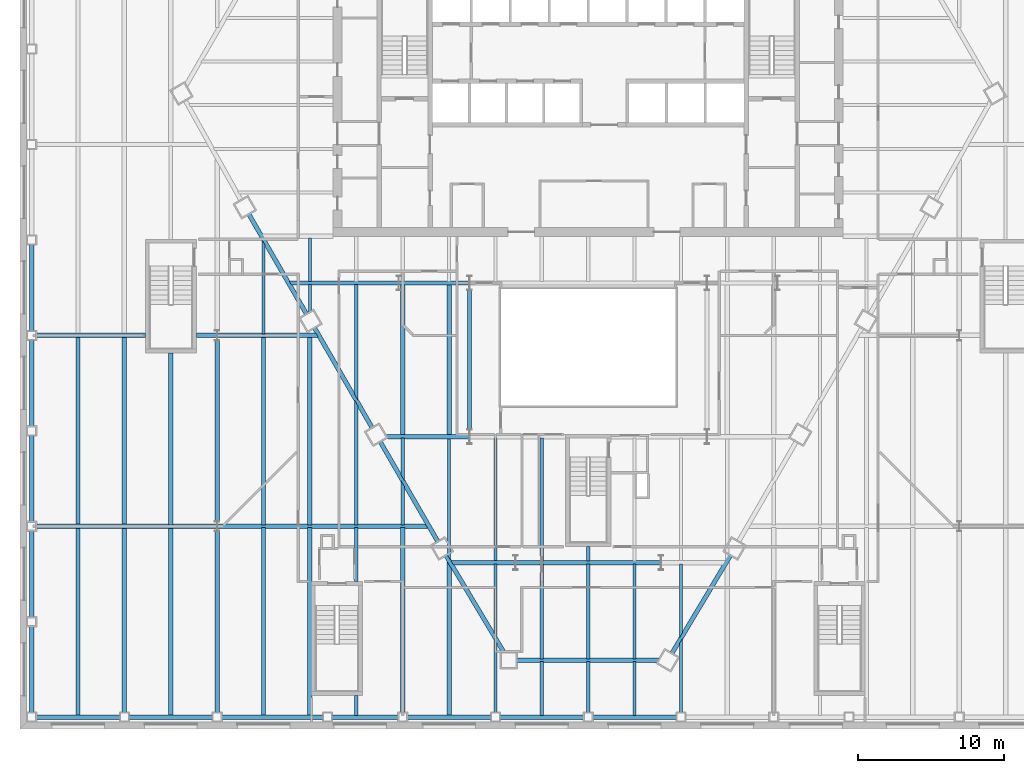
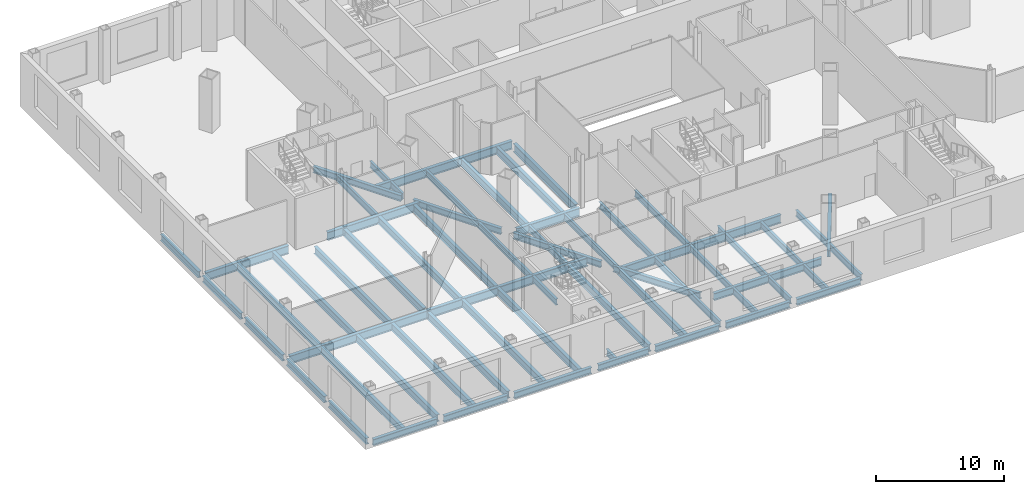
# One storey, part 4 of 21: 68 beams.
"""IFC4 building model written with IfcOpenShell, lengths in metres."""

from ifc_helpers import new_model, si_unit, direction, frame, origin, origin_2d, place, context, subcontext, project, spatial, i_section, extrude, clip, halfspace, material, material_profile, profile_set, type_object, element, save


model = new_model("IFC4")

# Units and contexts
model_context = context("Model", 3, precision=1e-05, world=origin(), true_north=direction((0.0, 1.0)))
body_context = subcontext(model_context, "Body", "Model", "MODEL_VIEW")
ifc_project = project(units=[si_unit("LENGTHUNIT", "METRE"), si_unit("AREAUNIT", "SQUARE_METRE"), si_unit("VOLUMEUNIT", "CUBIC_METRE"), si_unit("PLANEANGLEUNIT", "RADIAN"), si_unit("MASSUNIT", "GRAM", prefix="KILO")], contexts=[model_context])

# Site, building, storey
site_placement = place(None, origin())
site = spatial("IfcSite", under=ifc_project, at=site_placement, CompositionType="ELEMENT")
building_placement = place(site_placement, origin())
building = spatial("IfcBuilding", under=site, at=building_placement, Name="Njiva Tower", CompositionType="ELEMENT")
storey_placement = place(building_placement, frame((0.0, 0.0, 8.4)))
storey = spatial("IfcBuildingStorey", under=building, at=storey_placement, Name="L01", CompositionType="ELEMENT", Elevation=8.4)

# Beams
ifc_material = material(Name="Steel S355 J2", Category="steel")
ifc_material_profile_1 = material_profile(ifc_material, i_section(OverallWidth=0.3, OverallDepth=0.69, WebThickness=0.0145, FlangeThickness=0.027, at=origin_2d()), Name="HEA 700")
ifc_profile_set_1 = profile_set([ifc_material_profile_1], Name="Steel S355 J2")
beam_type_1 = type_object("IfcBeamType", Name="B1 Long-span spandrel beam HEA 700", PredefinedType="SPANDREL", material=ifc_profile_set_1)
beam_1_placement = place(storey_placement, frame((-4.911, -29.096, -0.565), z_axis=(1.0, 0.0, 0.0), x_axis=(0.0, 1.0, 0.0)))
element("IfcBeam", 1, at=beam_1_placement, inside=storey, type_object=beam_type_1, Name="Long-span spandrel beam L01-B160", PredefinedType="SPANDREL", context=body_context, shape_type="Clipping", body=[
    clip(extrude(i_section(OverallWidth=0.3, OverallDepth=0.69, WebThickness=0.0145, FlangeThickness=0.027, at=origin_2d()), origin(), (0.0, 0.0, 1.0), 9.844), halfspace(frame((-0.0254, 0.0, 9.7223), z_axis=(-0.499998009787, 0.0, 0.866026552831), x_axis=(0.0, 1.0, 0.0)), False)),
])
ifc_material_profile_2 = material_profile(ifc_material, i_section(OverallWidth=0.3, OverallDepth=0.69, WebThickness=0.0145, FlangeThickness=0.027, at=origin_2d()), Name="HEA 700")
ifc_profile_set_2 = profile_set([ifc_material_profile_2], Name="Steel S355 J2")
beam_type_2 = type_object("IfcBeamType", Name="B12 Long-span floor joist HEA 700", PredefinedType="JOIST", material=ifc_profile_set_2)
for number, where, z_axis, x_axis, name in (
    (2, (-35.017, -6.9, -0.565), (0.0, -1.0, 0.0), (1.0, 0.0, 0.0), "Long-span floor joist L01-B037"),
    (3, (-35.017, -20.0, -0.565), (0.0, -1.0, 0.0), (1.0, 0.0, 0.0), "Long-span floor joist L01-B036"),
    (4, (-31.833, -6.9, -0.565), (0.0, -1.0, 0.0), (1.0, 0.0, 0.0), "Long-span floor joist L01-B041"),
):
    element("IfcBeam", number, at=place(storey_placement, frame(where, z_axis=z_axis, x_axis=x_axis)), inside=storey, type_object=beam_type_2, Name=name, PredefinedType="JOIST", context=body_context, shape_type="SweptSolid", body=[
        extrude(i_section(OverallWidth=0.3, OverallDepth=0.69, WebThickness=0.0145, FlangeThickness=0.027, at=origin_2d()), origin(), (0.0, 0.0, 1.0), 12.9),
    ])
beam_2_placement = place(storey_placement, frame((-31.833, -20.0, -0.565), z_axis=(0.0, -1.0, 0.0), x_axis=(1.0, 0.0, 0.0)))
element("IfcBeam", 5, at=beam_2_placement, inside=storey, type_object=beam_type_2, Name="Long-span floor joist L01-B040", PredefinedType="JOIST", context=body_context, shape_type="SweptSolid", body=[
    extrude(i_section(OverallWidth=0.3, OverallDepth=0.69, WebThickness=0.0145, FlangeThickness=0.027, at=origin_2d()), origin(), (0.0, 0.0, 1.0), 12.7),
])
beam_3_placement = place(storey_placement, frame((-28.65, -8.0, -0.565), z_axis=(0.0, -1.0, 0.0), x_axis=(1.0, 0.0, 0.0)))
element("IfcBeam", 6, at=beam_3_placement, inside=storey, type_object=beam_type_2, Name="Long-span floor joist L01-B045", PredefinedType="JOIST", context=body_context, shape_type="SweptSolid", body=[
    extrude(i_section(OverallWidth=0.3, OverallDepth=0.69, WebThickness=0.0145, FlangeThickness=0.027, at=origin_2d()), origin(), (0.0, 0.0, 1.0), 11.8),
])
beam_4_placement = place(storey_placement, frame((-28.65, -20.0, -0.565), z_axis=(0.0, -1.0, 0.0), x_axis=(1.0, 0.0, 0.0)))
element("IfcBeam", 7, at=beam_4_placement, inside=storey, type_object=beam_type_2, Name="Long-span floor joist L01-B044", PredefinedType="JOIST", context=body_context, shape_type="SweptSolid", body=[
    extrude(i_section(OverallWidth=0.3, OverallDepth=0.69, WebThickness=0.0145, FlangeThickness=0.027, at=origin_2d()), origin(), (0.0, 0.0, 1.0), 12.9),
])
beam_5_placement = place(storey_placement, frame((-25.467, -7.108, -0.565), z_axis=(0.0, -1.0, 0.0), x_axis=(1.0, 0.0, 0.0)))
element("IfcBeam", 8, at=beam_5_placement, inside=storey, type_object=beam_type_2, Name="Long-span floor joist L01-B049", PredefinedType="JOIST", context=body_context, shape_type="SweptSolid", body=[
    extrude(i_section(OverallWidth=0.3, OverallDepth=0.69, WebThickness=0.0145, FlangeThickness=0.027, at=origin_2d()), origin(), (0.0, 0.0, 1.0), 12.484),
])
beam_6_placement = place(storey_placement, frame((-25.467, -20.208, -0.565), z_axis=(0.0, -1.0, 0.0), x_axis=(1.0, 0.0, 0.0)))
element("IfcBeam", 9, at=beam_6_placement, inside=storey, type_object=beam_type_2, Name="Long-span floor joist L01-B048", PredefinedType="JOIST", context=body_context, shape_type="SweptSolid", body=[
    extrude(i_section(OverallWidth=0.3, OverallDepth=0.69, WebThickness=0.0145, FlangeThickness=0.027, at=origin_2d()), origin(), (0.0, 0.0, 1.0), 12.492),
])
for number, where, z_axis, x_axis, name in (
    (10, (-22.283, -6.9, -0.565), (0.0, -1.0, 0.0), (1.0, 0.0, 0.0), "Long-span floor joist L01-B053"),
    (11, (-22.283, -20.001, -0.565), (0.0, -1.0, 0.0), (1.0, 0.0, 0.0), "Long-span floor joist L01-B052"),
    (12, (-19.1, -6.9, -0.565), (0.0, -1.0, 0.0), (1.0, 0.0, 0.0), "Long-span floor joist L01-B056"),
    (13, (-19.1, -20.001, -0.565), (0.0, -1.0, 0.0), (1.0, 0.0, 0.0), "Long-span floor joist L01-B055"),
):
    element("IfcBeam", number, at=place(storey_placement, frame(where, z_axis=z_axis, x_axis=x_axis)), inside=storey, type_object=beam_type_2, Name=name, PredefinedType="JOIST", context=body_context, shape_type="SweptSolid", body=[
        extrude(i_section(OverallWidth=0.3, OverallDepth=0.69, WebThickness=0.0145, FlangeThickness=0.027, at=origin_2d()), origin(), (0.0, 0.0, 1.0), 12.899),
    ])
beam_7_placement = place(storey_placement, frame((-12.733, -3.3, -0.565), z_axis=(0.0, -1.0, 0.0), x_axis=(1.0, 0.0, 0.0)))
element("IfcBeam", 14, at=beam_7_placement, inside=storey, type_object=beam_type_2, Name="Long-span floor joist L01-B067", PredefinedType="JOIST", context=body_context, shape_type="SweptSolid", body=[
    extrude(i_section(OverallWidth=0.3, OverallDepth=0.69, WebThickness=0.0145, FlangeThickness=0.027, at=origin_2d()), origin(), (0.0, 0.0, 1.0), 10.35),
])
beam_8_placement = place(storey_placement, frame((-12.733, -20.001, -0.565), z_axis=(0.0, -1.0, 0.0), x_axis=(1.0, 0.0, 0.0)))
element("IfcBeam", 15, at=beam_8_placement, inside=storey, type_object=beam_type_2, Name="Long-span floor joist L01-B064", PredefinedType="JOIST", context=body_context, shape_type="SweptSolid", body=[
    extrude(i_section(OverallWidth=0.3, OverallDepth=0.69, WebThickness=0.0145, FlangeThickness=0.027, at=origin_2d()), origin(), (0.0, 0.0, 1.0), 12.699),
])
beam_9_placement = place(storey_placement, frame((-9.55, -3.3, -0.565), z_axis=(0.0, -1.0, 0.0), x_axis=(1.0, 0.0, 0.0)))
element("IfcBeam", 16, at=beam_9_placement, inside=storey, type_object=beam_type_2, Name="Long-span floor joist L01-B071", PredefinedType="JOIST", context=body_context, shape_type="SweptSolid", body=[
    extrude(i_section(OverallWidth=0.3, OverallDepth=0.69, WebThickness=0.0145, FlangeThickness=0.027, at=origin_2d()), origin(), (0.0, 0.0, 1.0), 10.35),
])
beam_10_placement = place(storey_placement, frame((-9.55, -22.243, -0.565), z_axis=(0.0, -1.0, 0.0), x_axis=(1.0, 0.0, 0.0)))
element("IfcBeam", 17, at=beam_10_placement, inside=storey, type_object=beam_type_2, Name="Long-span floor joist L01-B069", PredefinedType="JOIST", context=body_context, shape_type="Clipping", body=[
    clip(extrude(i_section(OverallWidth=0.3, OverallDepth=0.69, WebThickness=0.0145, FlangeThickness=0.027, at=origin_2d()), origin(), (0.0, 0.0, 1.0), 10.657), halfspace(frame((0.0429, 0.0, 0.2758), z_axis=(0.858483100847, 0.0, -0.512841852388), x_axis=(0.0, -1.0, 0.0)), False)),
])
ifc_material_profile_3 = material_profile(ifc_material, i_section(OverallWidth=0.22, OverallDepth=0.6, WebThickness=0.012, FlangeThickness=0.019, at=origin_2d()), Name="IPE 600")
ifc_profile_set_3 = profile_set([ifc_material_profile_3], Name="Steel S355 J2")
beam_type_3 = type_object("IfcBeamType", Name="B13 Floor joist IPE 600", PredefinedType="JOIST", material=ifc_profile_set_3)
beam_11_placement = place(storey_placement, frame((-22.283, -0.215, -0.52), z_axis=(0.0, -1.0, 0.0), x_axis=(1.0, 0.0, 0.0)))
element("IfcBeam", 18, at=beam_11_placement, inside=storey, type_object=beam_type_3, Name="Floor joist L01-B054", PredefinedType="JOIST", context=body_context, shape_type="Clipping", body=[
    clip(extrude(i_section(OverallWidth=0.22, OverallDepth=0.6, WebThickness=0.012, FlangeThickness=0.019, at=origin_2d()), origin(), (0.0, 0.0, 1.0), 6.485), halfspace(frame((0.043, 0.0, 0.2859), z_axis=(0.866026552831, 0.0, -0.499998009787), x_axis=(0.0, -1.0, 0.0)), False)),
])
beam_12_placement = place(storey_placement, frame((-15.917, -3.3, -0.52), z_axis=(0.0, -1.0, 0.0), x_axis=(1.0, 0.0, 0.0)))
element("IfcBeam", 19, at=beam_12_placement, inside=storey, type_object=beam_type_3, Name="Floor joist L01-B062", PredefinedType="JOIST", context=body_context, shape_type="Clipping", body=[
    clip(extrude(i_section(OverallWidth=0.22, OverallDepth=0.6, WebThickness=0.012, FlangeThickness=0.019, at=origin_2d()), origin(), (0.0, 0.0, 1.0), 7.964), halfspace(frame((-0.043, 0.0, 7.6783), z_axis=(-0.866026552831, 0.0, 0.499998009787), x_axis=(0.0, 1.0, 0.0)), False)),
])
beam_13_placement = place(storey_placement, frame((-15.917, -11.242, -0.52), z_axis=(0.0, -1.0, 0.0), x_axis=(1.0, 0.0, 0.0)))
element("IfcBeam", 20, at=beam_13_placement, inside=storey, type_object=beam_type_3, Name="Floor joist L01-B061", PredefinedType="JOIST", context=body_context, shape_type="Clipping", body=[
    clip(extrude(i_section(OverallWidth=0.22, OverallDepth=0.6, WebThickness=0.012, FlangeThickness=0.019, at=origin_2d()), origin(), (0.0, 0.0, 1.0), 8.557), halfspace(frame((0.0436, 0.0, 0.2863), z_axis=(0.866026552831, 0.0, -0.499998009787), x_axis=(0.0, -1.0, 0.0)), False)),
])
beam_14_placement = place(storey_placement, frame((-9.55, -13.85, -0.52), z_axis=(0.0, -1.0, 0.0), x_axis=(1.0, 0.0, 0.0)))
element("IfcBeam", 21, at=beam_14_placement, inside=storey, type_object=beam_type_3, Name="Floor joist L01-B070", PredefinedType="JOIST", context=body_context, shape_type="Clipping", body=[
    clip(extrude(i_section(OverallWidth=0.22, OverallDepth=0.6, WebThickness=0.012, FlangeThickness=0.019, at=origin_2d()), origin(), (0.0, 0.0, 1.0), 8.411), halfspace(frame((-0.0429, 0.0, 8.1351), z_axis=(-0.858483100847, 0.0, 0.512841852388), x_axis=(0.0, 1.0, 0.0)), False)),
])
beam_15_placement = place(storey_placement, frame((-6.367, -13.851, -0.52), z_axis=(0.0, -1.0, 0.0), x_axis=(1.0, 0.0, 0.0)))
element("IfcBeam", 22, at=beam_15_placement, inside=storey, type_object=beam_type_3, Name="Floor joist L01-B075", PredefinedType="JOIST", context=body_context, shape_type="SweptSolid", body=[
    extrude(i_section(OverallWidth=0.22, OverallDepth=0.6, WebThickness=0.012, FlangeThickness=0.019, at=origin_2d()), origin(), (0.0, 0.0, 1.0), 8.449),
])
beam_16_placement = place(storey_placement, frame((-6.367, -22.5, -0.52), z_axis=(0.0, -1.0, 0.0), x_axis=(1.0, 0.0, 0.0)))
element("IfcBeam", 23, at=beam_16_placement, inside=storey, type_object=beam_type_3, Name="Floor joist L01-B074", PredefinedType="JOIST", context=body_context, shape_type="Clipping", body=[
    clip(extrude(i_section(OverallWidth=0.22, OverallDepth=0.6, WebThickness=0.012, FlangeThickness=0.019, at=origin_2d()), origin(), (0.0, 0.0, 1.0), 5.09), halfspace(frame((-0.0426, 0.0, 4.8139), z_axis=(-0.858483100847, 0.0, 0.512841852388), x_axis=(0.0, 1.0, 0.0)), False)),
])
beam_17_placement = place(storey_placement, frame((-6.367, -27.572, -0.52), z_axis=(0.0, -1.0, 0.0), x_axis=(1.0, 0.0, 0.0)))
element("IfcBeam", 24, at=beam_17_placement, inside=storey, type_object=beam_type_3, Name="Floor joist L01-B073", PredefinedType="JOIST", context=body_context, shape_type="Clipping", body=[
    clip(extrude(i_section(OverallWidth=0.22, OverallDepth=0.6, WebThickness=0.012, FlangeThickness=0.019, at=origin_2d()), origin(), (0.0, 0.0, 1.0), 5.128), halfspace(frame((0.0433, 0.0, 0.2756), z_axis=(0.858483100847, 0.0, -0.512841852388), x_axis=(0.0, -1.0, 0.0)), False)),
])
beam_18_placement = place(storey_placement, frame((-3.183, -13.851, -0.52), z_axis=(0.0, -1.0, 0.0), x_axis=(1.0, 0.0, 0.0)))
element("IfcBeam", 25, at=beam_18_placement, inside=storey, type_object=beam_type_3, Name="Floor joist L01-B079", PredefinedType="JOIST", context=body_context, shape_type="SweptSolid", body=[
    extrude(i_section(OverallWidth=0.22, OverallDepth=0.6, WebThickness=0.012, FlangeThickness=0.019, at=origin_2d()), origin(), (0.0, 0.0, 1.0), 8.449),
])
for number, where, z_axis, x_axis, name in (
    (26, (-3.183, -22.5, -0.52), (0.0, -1.0, 0.0), (1.0, 0.0, 0.0), "Floor joist L01-B078"),
    (27, (0.0, -22.5, -0.52), (0.0, -1.0, 0.0), (1.0, 0.0, 0.0), "Floor joist L01-B082"),
    (28, (3.183, -22.5, -0.52), (0.0, -1.0, 0.0), (1.0, 0.0, 0.0), "Floor joist L01-B086"),
):
    element("IfcBeam", number, at=place(storey_placement, frame(where, z_axis=z_axis, x_axis=x_axis)), inside=storey, type_object=beam_type_3, Name=name, PredefinedType="JOIST", context=body_context, shape_type="SweptSolid", body=[
        extrude(i_section(OverallWidth=0.22, OverallDepth=0.6, WebThickness=0.012, FlangeThickness=0.019, at=origin_2d()), origin(), (0.0, 0.0, 1.0), 6.496),
    ])
beam_19_placement = place(storey_placement, frame((6.367, -22.5, -0.52), z_axis=(0.0, -1.0, 0.0), x_axis=(1.0, 0.0, 0.0)))
element("IfcBeam", 29, at=beam_19_placement, inside=storey, type_object=beam_type_3, Name="Floor joist L01-B090", PredefinedType="JOIST", context=body_context, shape_type="Clipping", body=[
    clip(extrude(i_section(OverallWidth=0.22, OverallDepth=0.6, WebThickness=0.012, FlangeThickness=0.019, at=origin_2d()), origin(), (0.0, 0.0, 1.0), 5.09), halfspace(frame((0.0426, 0.0, 4.8139), z_axis=(0.858483100847, 0.0, 0.512841852388), x_axis=(0.0, 1.0, 0.0)), False)),
])
beam_20_placement = place(storey_placement, frame((6.367, -27.572, -0.52), z_axis=(0.0, -1.0, 0.0), x_axis=(1.0, 0.0, 0.0)))
element("IfcBeam", 30, at=beam_20_placement, inside=storey, type_object=beam_type_3, Name="Floor joist L01-B089", PredefinedType="JOIST", context=body_context, shape_type="Clipping", body=[
    clip(extrude(i_section(OverallWidth=0.22, OverallDepth=0.6, WebThickness=0.012, FlangeThickness=0.019, at=origin_2d()), origin(), (0.0, 0.0, 1.0), 5.128), halfspace(frame((-0.0433, 0.0, 0.2756), z_axis=(-0.858483100847, 0.0, -0.512841852388), x_axis=(0.0, -1.0, 0.0)), False)),
])
ifc_material_profile_4 = material_profile(ifc_material, i_section(OverallWidth=0.22, OverallDepth=0.6, WebThickness=0.012, FlangeThickness=0.019, at=origin_2d()), Name="IPE 600")
ifc_profile_set_4 = profile_set([ifc_material_profile_4], Name="Steel S355 J2")
beam_type_4 = type_object("IfcBeamType", Name="B14 Short-span floor joist IPE 600", PredefinedType="JOIST", material=ifc_profile_set_4)
beam_21_placement = place(storey_placement, frame((-19.1, -0.1, -0.52), z_axis=(0.0, -1.0, 0.0), x_axis=(1.0, 0.0, 0.0)))
element("IfcBeam", 31, at=beam_21_placement, inside=storey, type_object=beam_type_4, Name="Short-span floor joist L01-B058", PredefinedType="JOIST", context=body_context, shape_type="SweptSolid", body=[
    extrude(i_section(OverallWidth=0.22, OverallDepth=0.6, WebThickness=0.012, FlangeThickness=0.019, at=origin_2d()), origin(), (0.0, 0.0, 1.0), 3.0),
])
beam_22_placement = place(storey_placement, frame((-19.1, -3.3, -0.52), z_axis=(0.0, -1.0, 0.0), x_axis=(1.0, 0.0, 0.0)))
element("IfcBeam", 32, at=beam_22_placement, inside=storey, type_object=beam_type_4, Name="Short-span floor joist L01-B057", PredefinedType="JOIST", context=body_context, shape_type="Clipping", body=[
    clip(extrude(i_section(OverallWidth=0.22, OverallDepth=0.6, WebThickness=0.012, FlangeThickness=0.019, at=origin_2d()), origin(), (0.0, 0.0, 1.0), 1.978), halfspace(frame((0.025, 0.0, 1.88), z_axis=(0.499998009787, 0.0, 0.866026552831), x_axis=(0.0, 1.0, 0.0)), False)),
])
beam_23_placement = place(storey_placement, frame((-15.917, -20.001, -0.52), z_axis=(0.0, -1.0, 0.0), x_axis=(1.0, 0.0, 0.0)))
element("IfcBeam", 33, at=beam_23_placement, inside=storey, type_object=beam_type_4, Name="Short-span floor joist L01-B060", PredefinedType="JOIST", context=body_context, shape_type="SweptSolid", body=[
    extrude(i_section(OverallWidth=0.22, OverallDepth=0.6, WebThickness=0.012, FlangeThickness=0.019, at=origin_2d()), origin(), (0.0, 0.0, 1.0), 3.699),
])
beam_24_placement = place(storey_placement, frame((-15.917, -31.5, -0.52), z_axis=(0.0, -1.0, 0.0), x_axis=(1.0, 0.0, 0.0)))
element("IfcBeam", 34, at=beam_24_placement, inside=storey, type_object=beam_type_4, Name="Short-span floor joist L01-B059", PredefinedType="JOIST", context=body_context, shape_type="SweptSolid", body=[
    extrude(i_section(OverallWidth=0.22, OverallDepth=0.6, WebThickness=0.012, FlangeThickness=0.019, at=origin_2d()), origin(), (0.0, 0.0, 1.0), 1.4),
])
beam_25_placement = place(storey_placement, frame((-12.733, -13.85, -0.52), z_axis=(0.0, -1.0, 0.0), x_axis=(1.0, 0.0, 0.0)))
element("IfcBeam", 35, at=beam_25_placement, inside=storey, type_object=beam_type_4, Name="Short-span floor joist L01-B066", PredefinedType="JOIST", context=body_context, shape_type="Clipping", body=[
    clip(extrude(i_section(OverallWidth=0.22, OverallDepth=0.6, WebThickness=0.012, FlangeThickness=0.019, at=origin_2d()), origin(), (0.0, 0.0, 1.0), 2.928), halfspace(frame((-0.0436, 0.0, 2.642), z_axis=(-0.866026552831, 0.0, 0.499998009787), x_axis=(0.0, 1.0, 0.0)), False)),
])
beam_26_placement = place(storey_placement, frame((-12.733, -16.756, -0.52), z_axis=(0.0, -1.0, 0.0), x_axis=(1.0, 0.0, 0.0)))
element("IfcBeam", 36, at=beam_26_placement, inside=storey, type_object=beam_type_4, Name="Short-span floor joist L01-B065", PredefinedType="JOIST", context=body_context, shape_type="Clipping", body=[
    clip(extrude(i_section(OverallWidth=0.22, OverallDepth=0.6, WebThickness=0.012, FlangeThickness=0.019, at=origin_2d()), origin(), (0.0, 0.0, 1.0), 3.043), halfspace(frame((0.043, 0.0, 0.286), z_axis=(0.866026552831, 0.0, -0.499998009787), x_axis=(0.0, -1.0, 0.0)), False)),
])
beam_27_placement = place(storey_placement, frame((-3.183, -29.196, -0.52), z_axis=(0.0, -1.0, 0.0), x_axis=(1.0, 0.0, 0.0)))
element("IfcBeam", 37, at=beam_27_placement, inside=storey, type_object=beam_type_4, Name="Short-span floor joist L01-B077", PredefinedType="JOIST", context=body_context, shape_type="SweptSolid", body=[
    extrude(i_section(OverallWidth=0.22, OverallDepth=0.6, WebThickness=0.012, FlangeThickness=0.019, at=origin_2d()), origin(), (0.0, 0.0, 1.0), 3.704),
])
beam_28_placement = place(storey_placement, frame((0.0, -21.3, -0.52), z_axis=(0.0, -1.0, 0.0), x_axis=(1.0, 0.0, 0.0)))
element("IfcBeam", 38, at=beam_28_placement, inside=storey, type_object=beam_type_4, Name="Short-span floor joist L01-B083", PredefinedType="JOIST", context=body_context, shape_type="SweptSolid", body=[
    extrude(i_section(OverallWidth=0.22, OverallDepth=0.6, WebThickness=0.012, FlangeThickness=0.019, at=origin_2d()), origin(), (0.0, 0.0, 1.0), 1.0),
])
beam_29_placement = place(storey_placement, frame((0.0, -29.196, -0.52), z_axis=(0.0, -1.0, 0.0), x_axis=(1.0, 0.0, 0.0)))
element("IfcBeam", 39, at=beam_29_placement, inside=storey, type_object=beam_type_4, Name="Short-span floor joist L01-B081", PredefinedType="JOIST", context=body_context, shape_type="SweptSolid", body=[
    extrude(i_section(OverallWidth=0.22, OverallDepth=0.6, WebThickness=0.012, FlangeThickness=0.019, at=origin_2d()), origin(), (0.0, 0.0, 1.0), 3.504),
])
beam_30_placement = place(storey_placement, frame((3.183, -29.196, -0.52), z_axis=(0.0, -1.0, 0.0), x_axis=(1.0, 0.0, 0.0)))
element("IfcBeam", 40, at=beam_30_placement, inside=storey, type_object=beam_type_4, Name="Short-span floor joist L01-B085", PredefinedType="JOIST", context=body_context, shape_type="SweptSolid", body=[
    extrude(i_section(OverallWidth=0.22, OverallDepth=0.6, WebThickness=0.012, FlangeThickness=0.019, at=origin_2d()), origin(), (0.0, 0.0, 1.0), 3.704),
])
ifc_material_profile_5 = material_profile(ifc_material, i_section(OverallWidth=0.3, OverallDepth=0.6, WebThickness=0.0155, FlangeThickness=0.03, at=origin_2d()), Name="HEB 600")
ifc_profile_set_5 = profile_set([ifc_material_profile_5], Name="Steel S355 J2")
beam_type_5 = type_object("IfcBeamType", Name="B2 Spandrel beam HEB 600", PredefinedType="SPANDREL", material=ifc_profile_set_5)
beam_31_placement = place(storey_placement, frame((-23.294, 1.524, -0.52), z_axis=(0.500025004646, -0.866010966864, 0.0), x_axis=(0.866010966864, 0.500025004646, 0.0)))
element("IfcBeam", 41, at=beam_31_placement, inside=storey, type_object=beam_type_5, Name="Spandrel beam L01-B150", PredefinedType="SPANDREL", context=body_context, shape_type="SweptSolid", body=[
    extrude(i_section(OverallWidth=0.3, OverallDepth=0.6, WebThickness=0.0155, FlangeThickness=0.03, at=origin_2d()), origin(), (0.0, 0.0, 1.0), 7.9156),
])
beam_32_placement = place(storey_placement, frame((-18.786, -6.283, -0.52), z_axis=(0.499970304126, -0.866042548026, 0.0), x_axis=(0.866042548026, 0.499970304126, 0.0)))
element("IfcBeam", 42, at=beam_32_placement, inside=storey, type_object=beam_type_5, Name="Spandrel beam L01-B152", PredefinedType="SPANDREL", context=body_context, shape_type="SweptSolid", body=[
    extrude(i_section(OverallWidth=0.3, OverallDepth=0.6, WebThickness=0.0155, FlangeThickness=0.03, at=origin_2d()), origin(), (0.0, 0.0, 1.0), 7.9165),
])
beam_33_placement = place(storey_placement, frame((-14.278, -14.091, -0.52), z_axis=(0.499930249268, -0.866065670643, 0.0), x_axis=(0.866065670643, 0.499930249268, 0.0)))
element("IfcBeam", 43, at=beam_33_placement, inside=storey, type_object=beam_type_5, Name="Spandrel beam L01-B154", PredefinedType="SPANDREL", context=body_context, shape_type="SweptSolid", body=[
    extrude(i_section(OverallWidth=0.3, OverallDepth=0.6, WebThickness=0.0155, FlangeThickness=0.03, at=origin_2d()), origin(), (0.0, 0.0, 1.0), 7.9151),
])
beam_34_placement = place(storey_placement, frame((-9.763, -21.896, -0.52), z_axis=(0.512881198595, -0.85845959493, 0.0), x_axis=(0.85845959493, 0.512881198595, 0.0)))
element("IfcBeam", 44, at=beam_34_placement, inside=storey, type_object=beam_type_5, Name="Spandrel beam L01-B157", PredefinedType="SPANDREL", context=body_context, shape_type="Clipping", body=[
    clip(extrude(i_section(OverallWidth=0.3, OverallDepth=0.6, WebThickness=0.0155, FlangeThickness=0.03, at=origin_2d()), origin(), (0.0, 0.0, 1.0), 7.8564), halfspace(frame((-0.0257, 0.0, 7.7311), z_axis=(-0.512881198595, 0.0, 0.85845959493), x_axis=(0.0, 1.0, 0.0)), False)),
])
beam_35_placement = place(storey_placement, frame((5.744, -28.623, -0.52), z_axis=(0.512880901609, 0.858459772362, 0.0), x_axis=(-0.858459772362, 0.512880901609, 0.0)))
element("IfcBeam", 45, at=beam_35_placement, inside=storey, type_object=beam_type_5, Name="Spandrel beam L01-B164", PredefinedType="SPANDREL", context=body_context, shape_type="SweptSolid", body=[
    extrude(i_section(OverallWidth=0.3, OverallDepth=0.6, WebThickness=0.0155, FlangeThickness=0.03, at=origin_2d()), origin(), (0.0, 0.0, 1.0), 7.8361),
])
for number, where, z_axis, x_axis, name in (
    (46, (-38.2, -0.55, -0.52), (0.0, -1.0, 0.0), (1.0, 0.0, 0.0), "Spandrel beam L01-B138"),
    (47, (-38.2, -7.1, -0.52), (0.0, -1.0, 0.0), (1.0, 0.0, 0.0), "Spandrel beam L01-B137"),
    (48, (-38.2, -13.65, -0.52), (0.0, -1.0, 0.0), (1.0, 0.0, 0.0), "Spandrel beam L01-B136"),
    (49, (-38.2, -20.2, -0.52), (0.0, -1.0, 0.0), (1.0, 0.0, 0.0), "Spandrel beam L01-B135"),
    (50, (-38.2, -26.75, -0.52), (0.0, -1.0, 0.0), (1.0, 0.0, 0.0), "Spandrel beam L01-B134"),
):
    element("IfcBeam", number, at=place(storey_placement, frame(where, z_axis=z_axis, x_axis=x_axis)), inside=storey, type_object=beam_type_5, Name=name, PredefinedType="SPANDREL", context=body_context, shape_type="SweptSolid", body=[
        extrude(i_section(OverallWidth=0.3, OverallDepth=0.6, WebThickness=0.0155, FlangeThickness=0.03, at=origin_2d()), origin(), (0.0, 0.0, 1.0), 5.95),
    ])
beam_36_placement = place(storey_placement, frame((-37.9, -33.0, -0.52), z_axis=(1.0, 0.0, 0.0), x_axis=(0.0, 1.0, 0.0)))
element("IfcBeam", 51, at=beam_36_placement, inside=storey, type_object=beam_type_5, Name="Spandrel beam L01-B142", PredefinedType="SPANDREL", context=body_context, shape_type="SweptSolid", body=[
    extrude(i_section(OverallWidth=0.3, OverallDepth=0.6, WebThickness=0.0155, FlangeThickness=0.03, at=origin_2d()), origin(), (0.0, 0.0, 1.0), 5.767),
])
beam_37_placement = place(storey_placement, frame((-31.533, -33.0, -0.52), z_axis=(1.0, 0.0, 0.0), x_axis=(0.0, 1.0, 0.0)))
element("IfcBeam", 52, at=beam_37_placement, inside=storey, type_object=beam_type_5, Name="Spandrel beam L01-B144", PredefinedType="SPANDREL", context=body_context, shape_type="SweptSolid", body=[
    extrude(i_section(OverallWidth=0.3, OverallDepth=0.6, WebThickness=0.0155, FlangeThickness=0.03, at=origin_2d()), origin(), (0.0, 0.0, 1.0), 5.766),
])
beam_38_placement = place(storey_placement, frame((-25.167, -33.0, -0.52), z_axis=(1.0, 0.0, 0.0), x_axis=(0.0, 1.0, 0.0)))
element("IfcBeam", 53, at=beam_38_placement, inside=storey, type_object=beam_type_5, Name="Spandrel beam L01-B148", PredefinedType="SPANDREL", context=body_context, shape_type="SweptSolid", body=[
    extrude(i_section(OverallWidth=0.3, OverallDepth=0.6, WebThickness=0.0155, FlangeThickness=0.03, at=origin_2d()), origin(), (0.0, 0.0, 1.0), 6.967),
])
beam_39_placement = place(storey_placement, frame((-17.6, -33.0, -0.52), z_axis=(1.0, 0.0, 0.0), x_axis=(0.0, 1.0, 0.0)))
element("IfcBeam", 54, at=beam_39_placement, inside=storey, type_object=beam_type_5, Name="Spandrel beam L01-B153", PredefinedType="SPANDREL", context=body_context, shape_type="SweptSolid", body=[
    extrude(i_section(OverallWidth=0.3, OverallDepth=0.6, WebThickness=0.0155, FlangeThickness=0.03, at=origin_2d()), origin(), (0.0, 0.0, 1.0), 4.567),
])
beam_40_placement = place(storey_placement, frame((-12.433, -33.0, -0.52), z_axis=(1.0, 0.0, 0.0), x_axis=(0.0, 1.0, 0.0)))
element("IfcBeam", 55, at=beam_40_placement, inside=storey, type_object=beam_type_5, Name="Spandrel beam L01-B156", PredefinedType="SPANDREL", context=body_context, shape_type="SweptSolid", body=[
    extrude(i_section(OverallWidth=0.3, OverallDepth=0.6, WebThickness=0.0155, FlangeThickness=0.03, at=origin_2d()), origin(), (0.0, 0.0, 1.0), 5.766),
])
for number, where, z_axis, x_axis, name in (
    (56, (-6.067, -33.0, -0.52), (1.0, 0.0, 0.0), (0.0, 1.0, 0.0), "Spandrel beam L01-B158"),
    (57, (0.3, -33.0, -0.52), (1.0, 0.0, 0.0), (0.0, 1.0, 0.0), "Spandrel beam L01-B162"),
):
    element("IfcBeam", number, at=place(storey_placement, frame(where, z_axis=z_axis, x_axis=x_axis)), inside=storey, type_object=beam_type_5, Name=name, PredefinedType="SPANDREL", context=body_context, shape_type="SweptSolid", body=[
        extrude(i_section(OverallWidth=0.3, OverallDepth=0.6, WebThickness=0.0155, FlangeThickness=0.03, at=origin_2d()), origin(), (0.0, 0.0, 1.0), 5.767),
    ])
ifc_material_profile_6 = material_profile(ifc_material, i_section(OverallWidth=0.3, OverallDepth=0.79, WebThickness=0.015, FlangeThickness=0.028, at=origin_2d()), Name="HEA 800")
ifc_profile_set_6 = profile_set([ifc_material_profile_6], Name="Steel S355 J2")
beam_type_6 = type_object("IfcBeamType", Name="B4 Floor girder HEA 800", PredefinedType="BEAM", material=ifc_profile_set_6)
beam_41_placement = place(storey_placement, frame((-20.558, -3.2, -0.615), z_axis=(1.0, 0.0, 0.0), x_axis=(0.0, 1.0, 0.0)))
element("IfcBeam", 58, at=beam_41_placement, inside=storey, type_object=beam_type_6, Name="Floor girder L01-B020", PredefinedType="BEAM", context=body_context, shape_type="Clipping", body=[
    clip(extrude(i_section(OverallWidth=0.3, OverallDepth=0.79, WebThickness=0.015, FlangeThickness=0.028, at=origin_2d()), origin(), (0.0, 0.0, 1.0), 7.558), halfspace(frame((-0.025, 0.0, 0.1217), z_axis=(-0.499998009787, 0.0, -0.866026552831), x_axis=(0.0, -1.0, 0.0)), False)),
])
beam_42_placement = place(storey_placement, frame((-13.0, -3.2, -0.615), z_axis=(1.0, 0.0, 0.0), x_axis=(0.0, 1.0, 0.0)))
element("IfcBeam", 59, at=beam_42_placement, inside=storey, type_object=beam_type_6, Name="Floor girder L01-B022", PredefinedType="BEAM", context=body_context, shape_type="SweptSolid", body=[
    extrude(i_section(OverallWidth=0.3, OverallDepth=0.79, WebThickness=0.015, FlangeThickness=0.028, at=origin_2d()), origin(), (0.0, 0.0, 1.0), 4.85),
])
beam_43_placement = place(storey_placement, frame((-13.947, -13.75, -0.615), z_axis=(1.0, 0.0, 0.0), x_axis=(0.0, 1.0, 0.0)))
element("IfcBeam", 60, at=beam_43_placement, inside=storey, type_object=beam_type_6, Name="Floor girder L01-B021", PredefinedType="BEAM", context=body_context, shape_type="Clipping", body=[
    clip(extrude(i_section(OverallWidth=0.3, OverallDepth=0.79, WebThickness=0.015, FlangeThickness=0.028, at=origin_2d()), origin(), (0.0, 0.0, 1.0), 5.797), halfspace(frame((-0.025, 0.0, 0.1215), z_axis=(-0.499998009787, 0.0, -0.866026552831), x_axis=(0.0, -1.0, 0.0)), False)),
])
beam_44_placement = place(storey_placement, frame((-37.9, -6.8, -0.615), z_axis=(1.0, 0.0, 0.0), x_axis=(0.0, 1.0, 0.0)))
element("IfcBeam", 61, at=beam_44_placement, inside=storey, type_object=beam_type_6, Name="Floor girder L01-B014", PredefinedType="BEAM", context=body_context, shape_type="SweptSolid", body=[
    extrude(i_section(OverallWidth=0.3, OverallDepth=0.79, WebThickness=0.015, FlangeThickness=0.028, at=origin_2d()), origin(), (0.0, 0.0, 1.0), 7.5),
])
beam_45_placement = place(storey_placement, frame((-25.467, -6.8, -0.615), z_axis=(1.0, 0.0, 0.0), x_axis=(0.0, 1.0, 0.0)))
element("IfcBeam", 62, at=beam_45_placement, inside=storey, type_object=beam_type_6, Name="Floor girder L01-B018", PredefinedType="BEAM", context=body_context, shape_type="Clipping", body=[
    clip(extrude(i_section(OverallWidth=0.3, OverallDepth=0.79, WebThickness=0.015, FlangeThickness=0.028, at=origin_2d()), origin(), (0.0, 0.0, 1.0), 6.971), halfspace(frame((0.025, 0.0, 6.8493), z_axis=(0.499998009787, 0.0, 0.866026552831), x_axis=(0.0, 1.0, 0.0)), False)),
])
ifc_material_profile_7 = material_profile(ifc_material, i_section(OverallWidth=0.3, OverallDepth=0.79, WebThickness=0.015, FlangeThickness=0.028, at=origin_2d()), Name="HEA 800")
ifc_profile_set_7 = profile_set([ifc_material_profile_7], Name="Steel S355 J2")
beam_type_7 = type_object("IfcBeamType", Name="B5 Short-span floor girder HEA 800", PredefinedType="BEAM", material=ifc_profile_set_7)
beam_46_placement = place(storey_placement, frame((-9.455, -22.4, -0.615), z_axis=(1.0, 0.0, 0.0), x_axis=(0.0, 1.0, 0.0)))
element("IfcBeam", 63, at=beam_46_placement, inside=storey, type_object=beam_type_7, Name="Short-span floor girder L01-B023", PredefinedType="BEAM", context=body_context, shape_type="Clipping", body=[
    clip(extrude(i_section(OverallWidth=0.3, OverallDepth=0.79, WebThickness=0.015, FlangeThickness=0.028, at=origin_2d()), origin(), (0.0, 0.0, 1.0), 4.455), halfspace(frame((-0.0256, 0.0, 0.1253), z_axis=(-0.512841852388, 0.0, -0.858483100847), x_axis=(0.0, -1.0, 0.0)), False)),
])
beam_47_placement = place(storey_placement, frame((-26.9, -6.8, -0.615), z_axis=(1.0, 0.0, 0.0), x_axis=(0.0, 1.0, 0.0)))
element("IfcBeam", 64, at=beam_47_placement, inside=storey, type_object=beam_type_7, Name="Short-span floor girder L01-B016", PredefinedType="BEAM", context=body_context, shape_type="SweptSolid", body=[
    extrude(i_section(OverallWidth=0.3, OverallDepth=0.79, WebThickness=0.015, FlangeThickness=0.028, at=origin_2d()), origin(), (0.0, 0.0, 1.0), 1.433),
])
ifc_material_profile_8 = material_profile(ifc_material, i_section(OverallWidth=0.3, OverallDepth=0.79, WebThickness=0.015, FlangeThickness=0.028, at=origin_2d()), Name="HEA 800")
ifc_profile_set_8 = profile_set([ifc_material_profile_8], Name="Steel S355 J2")
beam_type_8 = type_object("IfcBeamType", Name="B6 Long-span floor girder HEA 800", PredefinedType="BEAM", material=ifc_profile_set_8)
beam_48_placement = place(storey_placement, frame((-5.0, -22.4, -0.615), z_axis=(1.0, 0.0, 0.0), x_axis=(0.0, 1.0, 0.0)))
element("IfcBeam", 65, at=beam_48_placement, inside=storey, type_object=beam_type_8, Name="Long-span floor girder L01-B024", PredefinedType="BEAM", context=body_context, shape_type="SweptSolid", body=[
    extrude(i_section(OverallWidth=0.3, OverallDepth=0.79, WebThickness=0.015, FlangeThickness=0.028, at=origin_2d()), origin(), (0.0, 0.0, 1.0), 10.0),
])
beam_49_placement = place(storey_placement, frame((-37.9, -19.9, -0.615), z_axis=(1.0, 0.0, 0.0), x_axis=(0.0, 1.0, 0.0)))
element("IfcBeam", 66, at=beam_49_placement, inside=storey, type_object=beam_type_8, Name="Long-span floor girder L01-B013", PredefinedType="BEAM", context=body_context, shape_type="SweptSolid", body=[
    extrude(i_section(OverallWidth=0.3, OverallDepth=0.79, WebThickness=0.015, FlangeThickness=0.028, at=origin_2d()), origin(), (0.0, 0.0, 1.0), 12.433),
])
ifc_material_profile_9 = material_profile(ifc_material, i_section(OverallWidth=0.303, OverallDepth=0.814, WebThickness=0.021, FlangeThickness=0.04, at=origin_2d()), Name="HEM 800")
ifc_profile_set_9 = profile_set([ifc_material_profile_9], Name="Steel S355 J2")
beam_type_9 = type_object("IfcBeamType", Name="B7 Long-span floor girder HEM 800", PredefinedType="BEAM", material=ifc_profile_set_9)
beam_50_placement = place(storey_placement, frame((-25.467, -19.9, -0.627), z_axis=(1.0, 0.0, 0.0), x_axis=(0.0, 1.0, 0.0)))
element("IfcBeam", 67, at=beam_50_placement, inside=storey, type_object=beam_type_9, Name="Long-span floor girder L01-B017", PredefinedType="BEAM", context=body_context, shape_type="Clipping", body=[
    clip(extrude(i_section(OverallWidth=0.303, OverallDepth=0.814, WebThickness=0.021, FlangeThickness=0.04, at=origin_2d()), origin(), (0.0, 0.0, 1.0), 14.534), halfspace(frame((0.025, 0.0, 14.4126), z_axis=(0.499998009787, 0.0, 0.866026552831), x_axis=(0.0, 1.0, 0.0)), False)),
])
ifc_material_profile_10 = material_profile(ifc_material, i_section(OverallWidth=0.3, OverallDepth=0.79, WebThickness=0.015, FlangeThickness=0.028, at=origin_2d()), Name="HEA 800")
ifc_profile_set_10 = profile_set([ifc_material_profile_10], Name="Steel S355 J2")
beam_type_10 = type_object("IfcBeamType", Name="B9 Long-span atrium trimmer beam HEA 800", PredefinedType="BEAM", material=ifc_profile_set_10)
beam_51_placement = place(storey_placement, frame((-8.15, -3.654, -0.615), z_axis=(0.0, -1.0, 0.0), x_axis=(1.0, 0.0, 0.0)))
element("IfcBeam", 68, at=beam_51_placement, inside=storey, type_object=beam_type_10, Name="Long-span atrium trimmer beam L01-B131", PredefinedType="BEAM", context=body_context, shape_type="SweptSolid", body=[
    extrude(i_section(OverallWidth=0.3, OverallDepth=0.79, WebThickness=0.015, FlangeThickness=0.028, at=origin_2d()), origin(), (0.0, 0.0, 1.0), 9.642),
])

save(model, "model.ifc")
